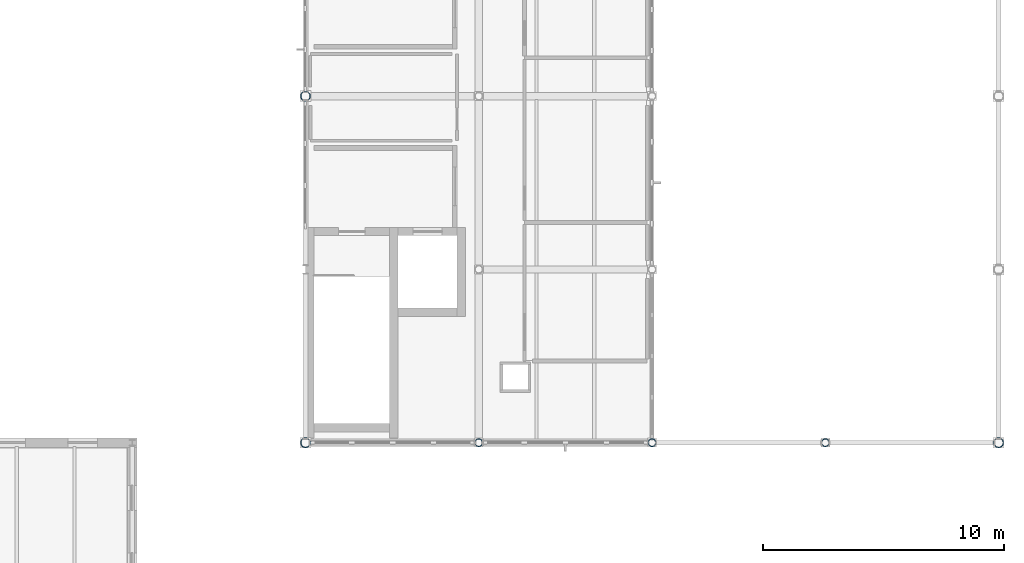
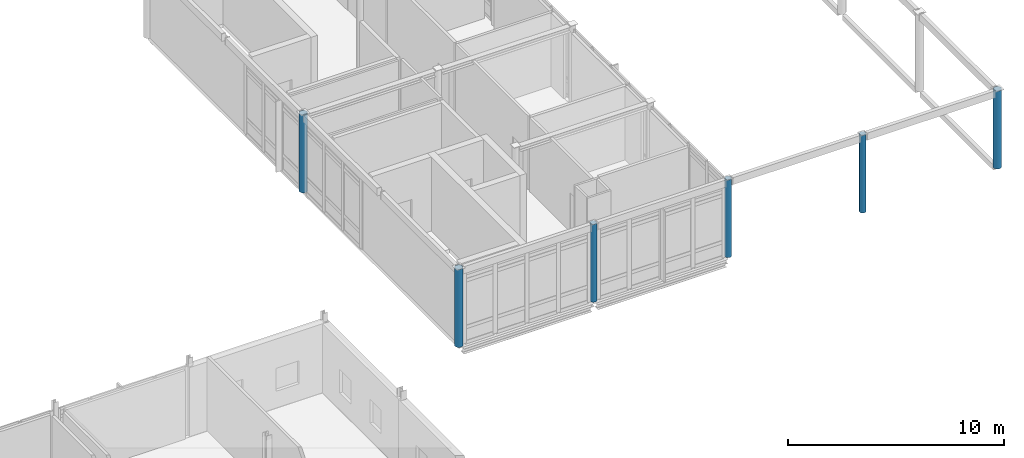
# One storey, part 6 of 72: 6 columns.
"""IFC4 building model written with IfcOpenShell, lengths in metres."""

from ifc_helpers import new_model, si_unit, direction, frame, origin, origin_2d, place, context, subcontext, project, spatial, hollow_circle, extrude, material, material_profile, profile_set, type_object, element, save


model = new_model("IFC4")

# Units and contexts
model_context = context("Model", 3, precision=1e-05, world=origin(), true_north=direction((0.0, 1.0)))
body_context = subcontext(model_context, "Body", "Model", "MODEL_VIEW")
ifc_project = project(units=[si_unit("LENGTHUNIT", "METRE"), si_unit("AREAUNIT", "SQUARE_METRE"), si_unit("VOLUMEUNIT", "CUBIC_METRE"), si_unit("PLANEANGLEUNIT", "RADIAN"), si_unit("MASSUNIT", "GRAM", prefix="KILO")], contexts=[model_context])

# Site, building, storey
site_placement = place(None, origin())
site = spatial("IfcSite", under=ifc_project, at=site_placement, CompositionType="ELEMENT")
building_placement = place(site_placement, origin())
building = spatial("IfcBuilding", under=site, at=building_placement, Name="Zarrinpeak Specialist Clinic", CompositionType="ELEMENT")
storey_placement = place(building_placement, frame((0.0, 0.0, 9.60009765625)))
storey = spatial("IfcBuildingStorey", under=building, at=storey_placement, Name="L02", CompositionType="ELEMENT", Elevation=9.60009765625)

# Columns
ifc_material = material(Name="Steel S355", Category="steel")
ifc_material_profile_1 = material_profile(ifc_material, hollow_circle(Radius=0.161865234375, WallThickness=0.012451171875, at=origin_2d()), Name="CHS 323.9x12.5")
ifc_profile_set_1 = profile_set([ifc_material_profile_1], Name="Steel S355")
column_type_1 = type_object("IfcColumnType", Name="COL-CHS324", PredefinedType="COLUMN", material=ifc_profile_set_1)
for number, where, z_axis, x_axis, name in (
    (1, (100.800048828125, 28.800048828125, 0.0), (0.0, 0.0, 1.0), (1.0, 0.0, 0.0), "L02 Structural Column COL-L02-143"),
    (2, (108.0, 28.800048828125, 0.0), (0.0, 0.0, 1.0), (1.0, 0.0, 0.0), "L02 Structural Column COL-L02-149"),
    (3, (115.199951171875, 28.800048828125, 0.0), (0.0, 0.0, 1.0), (1.0, 0.0, 0.0), "L02 Structural Column COL-L02-155"),
):
    element("IfcColumn", number, at=place(storey_placement, frame(where, z_axis=z_axis, x_axis=x_axis)), inside=storey, type_object=column_type_1, Name=name, PredefinedType="COLUMN", context=body_context, shape_type="SweptSolid", body=[
        extrude(hollow_circle(Radius=0.161865234375, WallThickness=0.012451171875, at=origin_2d()), origin(), (0.0, 0.0, 1.0), 4.39990234375),
    ])
ifc_material_profile_2 = material_profile(ifc_material, hollow_circle(Radius=0.203125, WallThickness=0.01611328125, at=origin_2d()), Name="CHS 406.4x16.0")
ifc_profile_set_2 = profile_set([ifc_material_profile_2], Name="Steel S355")
column_type_2 = type_object("IfcColumnType", Name="COL-CHS406", PredefinedType="COLUMN", material=ifc_profile_set_2)
for number, where, z_axis, x_axis, name in (
    (4, (93.60009765625, 28.800048828125, 0.0), (0.0, 0.0, 1.0), (1.0, 0.0, 0.0), "L02 Structural Column COL-L02-138"),
    (5, (93.60009765625, 43.199951171875, 0.0), (0.0, 0.0, 1.0), (1.0, 0.0, 0.0), "L02 Structural Column COL-L02-139"),
    (6, (122.39990234375, 28.800048828125, 0.0), (0.0, 0.0, 1.0), (1.0, 0.0, 0.0), "L02 Structural Column COL-L02-157"),
):
    element("IfcColumn", number, at=place(storey_placement, frame(where, z_axis=z_axis, x_axis=x_axis)), inside=storey, type_object=column_type_2, Name=name, PredefinedType="COLUMN", context=body_context, shape_type="SweptSolid", body=[
        extrude(hollow_circle(Radius=0.203125, WallThickness=0.01611328125, at=origin_2d()), origin(), (0.0, 0.0, 1.0), 4.39990234375),
    ])

save(model, "model.ifc")
